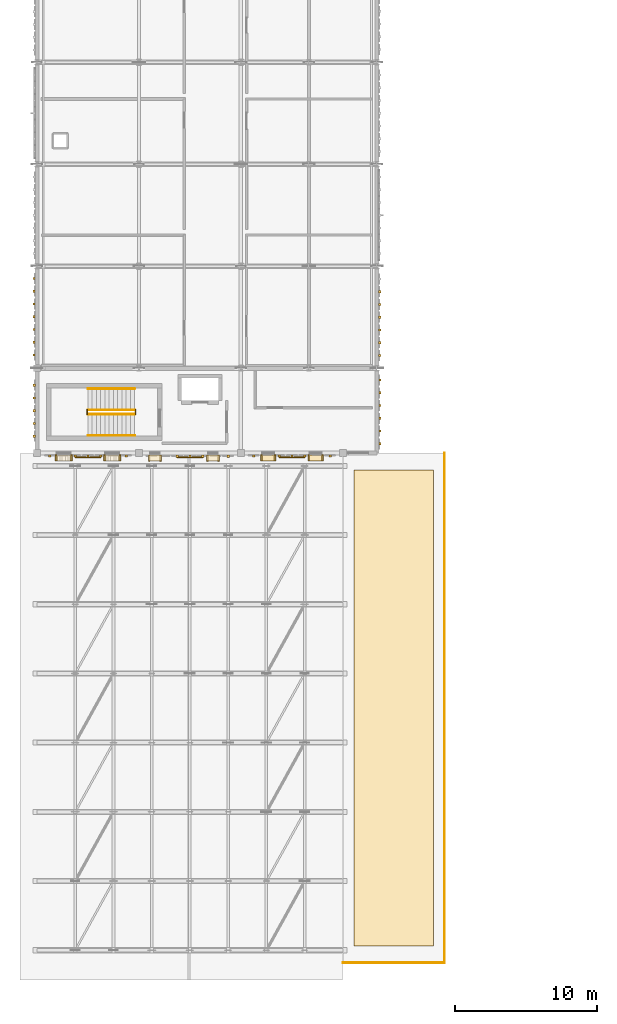
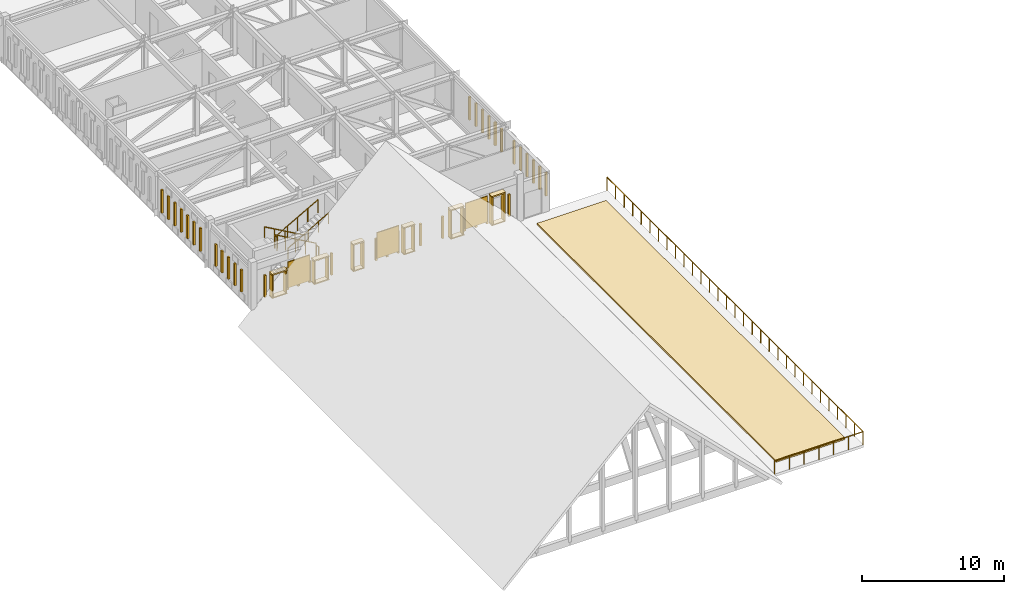
# One storey, part 64 of 79: 63 coverings, 8 railings, 3 shading devices.
"""IFC4 building model written with IfcOpenShell, lengths in metres."""

from ifc_helpers import new_model, si_unit, direction, frame, origin, origin_2d, place, context, subcontext, project, spatial, polyline, rectangle, circle, outline, extrude, material, layer, layer_set, type_object, element, save


model = new_model("IFC4")

# Units and contexts
model_context = context("Model", 3, precision=1e-05, world=origin(), true_north=direction((0.0, 1.0)))
body_context = subcontext(model_context, "Body", "Model", "MODEL_VIEW")
ifc_project = project(units=[si_unit("LENGTHUNIT", "METRE"), si_unit("AREAUNIT", "SQUARE_METRE"), si_unit("VOLUMEUNIT", "CUBIC_METRE"), si_unit("PLANEANGLEUNIT", "RADIAN"), si_unit("MASSUNIT", "GRAM", prefix="KILO")], contexts=[model_context])

# Site, building, storey
site_placement = place(None, origin())
site = spatial("IfcSite", under=ifc_project, at=site_placement, CompositionType="ELEMENT")
building_placement = place(site_placement, origin())
building = spatial("IfcBuilding", under=site, at=building_placement, Name="Nzembalo Square Collegiate School", CompositionType="ELEMENT")
storey_placement = place(building_placement, frame((0.0, 0.0, 9.52001953125)))
storey = spatial("IfcBuildingStorey", under=building, at=storey_placement, Name="L02", CompositionType="ELEMENT", Elevation=9.52001953125)

# Coverings
ifc_material_1 = material(Name="Glazed ochre ceramic lancet rib")
ifc_layer_1 = layer(ifc_material_1, 0.159912109375, Name="Glazed ochre ceramic lancet rib")
ifc_layer_set_1 = layer_set([ifc_layer_1], Name="Glazed ochre ceramic lancet rib")
covering_type_1 = type_object("IfcCoveringType", Name="CL02", PredefinedType="CLADDING", material=ifc_layer_set_1)
for number, where, z_axis, x_axis, name in (
    (1, (9.300048828125, 44.197509765625, 0.76025390625), (0.0, 0.0, 1.0), (1.0, 0.0, 0.0), "Gothic ceramic rib CL02-X0177-0"),
    (2, (11.10009765625, 44.197509765625, 0.76025390625), (0.0, 0.0, 1.0), (1.0, 0.0, 0.0), "Gothic ceramic rib CL02-X0177-2"),
    (3, (12.0, 44.197509765625, 0.76025390625), (0.0, 0.0, 1.0), (1.0, 0.0, 0.0), "Gothic ceramic rib CL02-X0177-3"),
    (4, (12.89990234375, 44.197509765625, 0.76025390625), (0.0, 0.0, 1.0), (1.0, 0.0, 0.0), "Gothic ceramic rib CL02-X0177-4"),
    (5, (14.699951171875, 44.197509765625, 0.76025390625), (0.0, 0.0, 1.0), (1.0, 0.0, 0.0), "Gothic ceramic rib CL02-X0177-6"),
    (6, (18.300048828125, 44.1875, 0.76025390625), (0.0, 0.0, 1.0), (1.0, 0.0, 0.0), "Gothic ceramic rib CL02-X0178-2"),
    (7, (19.199951171875, 44.1875, 0.76025390625), (0.0, 0.0, 1.0), (1.0, 0.0, 0.0), "Gothic ceramic rib CL02-X0178-3"),
    (8, (20.10009765625, 44.1875, 0.76025390625), (0.0, 0.0, 1.0), (1.0, 0.0, 0.0), "Gothic ceramic rib CL02-X0178-4"),
    (9, (21.89990234375, 44.1875, 0.76025390625), (0.0, 0.0, 1.0), (1.0, 0.0, 0.0), "Gothic ceramic rib CL02-X0178-6"),
    (10, (23.699951171875, 44.197509765625, 0.76025390625), (0.0, 0.0, 1.0), (1.0, 0.0, 0.0), "Gothic ceramic rib CL02-X0179-0"),
    (11, (25.5, 44.197509765625, 0.76025390625), (0.0, 0.0, 1.0), (1.0, 0.0, 0.0), "Gothic ceramic rib CL02-X0179-2"),
    (12, (26.39990234375, 44.197509765625, 0.76025390625), (0.0, 0.0, 1.0), (1.0, 0.0, 0.0), "Gothic ceramic rib CL02-X0179-3"),
    (13, (27.300048828125, 44.197509765625, 0.76025390625), (0.0, 0.0, 1.0), (1.0, 0.0, 0.0), "Gothic ceramic rib CL02-X0179-4"),
    (14, (29.10009765625, 44.197509765625, 0.76025390625), (0.0, 0.0, 1.0), (1.0, 0.0, 0.0), "Gothic ceramic rib CL02-X0179-6"),
    (15, (8.197509765625, 45.60009765625, 0.76025390625), (0.0, 0.0, 1.0), (1.0, 0.0, 0.0), "Gothic ceramic rib CL02-Y0181-0"),
    (16, (8.197509765625, 46.5, 0.76025390625), (0.0, 0.0, 1.0), (1.0, 0.0, 0.0), "Gothic ceramic rib CL02-Y0181-1"),
    (17, (8.197509765625, 47.39990234375, 0.76025390625), (0.0, 0.0, 1.0), (1.0, 0.0, 0.0), "Gothic ceramic rib CL02-Y0181-2"),
    (18, (8.197509765625, 48.300048828125, 0.76025390625), (0.0, 0.0, 1.0), (1.0, 0.0, 0.0), "Gothic ceramic rib CL02-Y0181-3"),
    (19, (8.197509765625, 49.199951171875, 0.76025390625), (0.0, 0.0, 1.0), (1.0, 0.0, 0.0), "Gothic ceramic rib CL02-Y0181-4"),
):
    element("IfcCovering", number, at=place(storey_placement, frame(where, z_axis=z_axis, x_axis=x_axis)), inside=storey, type_object=covering_type_1, Name=name, PredefinedType="CLADDING", context=body_context, shape_type="SweptSolid", body=[
        extrude(rectangle(XDim=0.159912109375, YDim=0.159912109375, at=origin_2d()), origin(), (0.0, 0.0, 1.0), 1.868896484375),
    ])
for number, where, z_axis, x_axis, name in (
    (20, (8.1875, 51.33251953125, 0.760009765625), (0.0, 0.0, 1.0), (1.0, 0.0, 0.0), "Gothic ceramic rib CL02-Y0182-0"),
    (21, (8.1875, 52.232421875, 0.760009765625), (0.0, 0.0, 1.0), (1.0, 0.0, 0.0), "Gothic ceramic rib CL02-Y0182-1"),
    (22, (8.1875, 53.132568359375, 0.760009765625), (0.0, 0.0, 1.0), (1.0, 0.0, 0.0), "Gothic ceramic rib CL02-Y0182-2"),
    (23, (8.1875, 54.032470703125, 0.760009765625), (0.0, 0.0, 1.0), (1.0, 0.0, 0.0), "Gothic ceramic rib CL02-Y0182-3"),
    (24, (8.1875, 54.9326171875, 0.760009765625), (0.0, 0.0, 1.0), (1.0, 0.0, 0.0), "Gothic ceramic rib CL02-Y0182-4"),
    (25, (8.1875, 55.83251953125, 0.760009765625), (0.0, 0.0, 1.0), (1.0, 0.0, 0.0), "Gothic ceramic rib CL02-Y0182-5"),
    (26, (8.1875, 56.732421875, 0.760009765625), (0.0, 0.0, 1.0), (1.0, 0.0, 0.0), "Gothic ceramic rib CL02-Y0182-6"),
    (27, (32.612548828125, 45.0615234375, 0.760009765625), (0.0, 0.0, 1.0), (1.0, 0.0, 0.0), "Gothic ceramic rib CL02-Y0190-0"),
    (28, (32.612548828125, 45.96142578125, 0.760009765625), (0.0, 0.0, 1.0), (1.0, 0.0, 0.0), "Gothic ceramic rib CL02-Y0190-1"),
    (29, (32.612548828125, 46.861572265625, 0.760009765625), (0.0, 0.0, 1.0), (1.0, 0.0, 0.0), "Gothic ceramic rib CL02-Y0190-2"),
    (30, (32.612548828125, 47.761474609375, 0.760009765625), (0.0, 0.0, 1.0), (1.0, 0.0, 0.0), "Gothic ceramic rib CL02-Y0190-3"),
    (31, (32.612548828125, 48.66162109375, 0.760009765625), (0.0, 0.0, 1.0), (1.0, 0.0, 0.0), "Gothic ceramic rib CL02-Y0190-4"),
    (32, (32.612548828125, 49.5615234375, 0.760009765625), (0.0, 0.0, 1.0), (1.0, 0.0, 0.0), "Gothic ceramic rib CL02-Y0190-5"),
    (33, (32.6025390625, 51.300048828125, 0.760009765625), (0.0, 0.0, 1.0), (1.0, 0.0, 0.0), "Gothic ceramic rib CL02-Y0191-0"),
    (34, (32.6025390625, 52.199951171875, 0.760009765625), (0.0, 0.0, 1.0), (1.0, 0.0, 0.0), "Gothic ceramic rib CL02-Y0191-1"),
    (35, (32.6025390625, 53.10009765625, 0.760009765625), (0.0, 0.0, 1.0), (1.0, 0.0, 0.0), "Gothic ceramic rib CL02-Y0191-2"),
    (36, (32.6025390625, 54.0, 0.760009765625), (0.0, 0.0, 1.0), (1.0, 0.0, 0.0), "Gothic ceramic rib CL02-Y0191-3"),
    (37, (32.6025390625, 54.89990234375, 0.760009765625), (0.0, 0.0, 1.0), (1.0, 0.0, 0.0), "Gothic ceramic rib CL02-Y0191-4"),
    (38, (32.6025390625, 55.800048828125, 0.760009765625), (0.0, 0.0, 1.0), (1.0, 0.0, 0.0), "Gothic ceramic rib CL02-Y0191-5"),
):
    element("IfcCovering", number, at=place(storey_placement, frame(where, z_axis=z_axis, x_axis=x_axis)), inside=storey, type_object=covering_type_1, Name=name, PredefinedType="CLADDING", context=body_context, shape_type="SweptSolid", body=[
        extrude(rectangle(XDim=0.159912109375, YDim=0.159912109375, at=origin_2d()), origin(), (0.0, 0.0, 1.0), 1.97900390625),
    ])
ifc_material_2 = material(Name="Planted extensive green roof substrate")
ifc_layer_2 = layer(ifc_material_2, 0.139892578125, Name="Planted extensive green roof substrate")
ifc_layer_set_2 = layer_set([ifc_layer_2], Name="Planted extensive green roof substrate")
covering_type_2 = type_object("IfcCoveringType", Name="GR01", PredefinedType="ROOFING", material=ifc_layer_set_2)
covering_1_placement = place(storey_placement, origin())
element("IfcCovering", 39, at=covering_1_placement, inside=storey, type_object=covering_type_2, Name="Planted green roof bed GR01-03", PredefinedType="ROOFING", context=body_context, shape_type="SweptSolid", body=[
    extrude(outline(polyline([(30.800048828125, 9.60009765625), (36.39990234375, 9.60009765625), (36.39990234375, 43.199951171875), (30.800048828125, 43.199951171875), (30.800048828125, 9.60009765625)])), origin(), (0.0, 0.0, 1.0), 0.139892578125),
])
ifc_material_3 = material(Name="Glazed celadon ceramic window frame")
ifc_layer_3 = layer(ifc_material_3, 0.419921875, Name="Glazed celadon ceramic window frame")
ifc_layer_set_3 = layer_set([ifc_layer_3], Name="Glazed celadon ceramic window frame")
covering_type_3 = type_object("IfcCoveringType", Name="WF01", PredefinedType="CLADDING", material=ifc_layer_set_3)
covering_2_placement = place(storey_placement, frame((10.2958984375, 44.0625, 2.634765625), z_axis=(0.0, 0.0, 1.0), x_axis=(1.0, 0.0, 0.0)))
element("IfcCovering", 40, at=covering_2_placement, inside=storey, type_object=covering_type_3, Name="Deep lancet window hood WF01-0485", PredefinedType="CLADDING", context=body_context, shape_type="SweptSolid", body=[
    extrude(rectangle(XDim=1.219970703125, YDim=0.419921875, at=origin_2d()), origin(), (0.0, 0.0, 1.0), 0.110107421875),
])
covering_3_placement = place(storey_placement, frame((10.2958984375, 44.0625, 0.65478515625), z_axis=(0.0, 0.0, 1.0), x_axis=(1.0, 0.0, 0.0)))
element("IfcCovering", 41, at=covering_3_placement, inside=storey, type_object=covering_type_3, Name="Deep lancet window sill WF01-0485", PredefinedType="CLADDING", context=body_context, shape_type="SweptSolid", body=[
    extrude(rectangle(XDim=1.219970703125, YDim=0.419921875, at=origin_2d()), origin(), (0.0, 0.0, 1.0), 0.090087890625),
])
for number, where, z_axis, x_axis, name in (
    (42, (9.7509765625, 44.0625, 0.75), (0.0, 0.0, 1.0), (1.0, 0.0, 0.0), "Deep lancet window jamb WF01-0485L"),
    (43, (10.841064453125, 44.0625, 0.75), (0.0, 0.0, 1.0), (1.0, 0.0, 0.0), "Deep lancet window jamb WF01-0485R"),
):
    element("IfcCovering", number, at=place(storey_placement, frame(where, z_axis=z_axis, x_axis=x_axis)), inside=storey, type_object=covering_type_3, Name=name, PredefinedType="CLADDING", context=body_context, shape_type="SweptSolid", body=[
        extrude(rectangle(XDim=0.10009765625, YDim=0.419921875, at=origin_2d()), origin(), (0.0, 0.0, 1.0), 1.8798828125),
    ])
covering_4_placement = place(storey_placement, frame((13.7041015625, 44.0625, 2.634765625), z_axis=(0.0, 0.0, 1.0), x_axis=(1.0, 0.0, 0.0)))
element("IfcCovering", 44, at=covering_4_placement, inside=storey, type_object=covering_type_3, Name="Deep lancet window hood WF01-0486", PredefinedType="CLADDING", context=body_context, shape_type="SweptSolid", body=[
    extrude(rectangle(XDim=1.219970703125, YDim=0.419921875, at=origin_2d()), origin(), (0.0, 0.0, 1.0), 0.110107421875),
])
covering_5_placement = place(storey_placement, frame((13.7041015625, 44.0625, 0.65478515625), z_axis=(0.0, 0.0, 1.0), x_axis=(1.0, 0.0, 0.0)))
element("IfcCovering", 45, at=covering_5_placement, inside=storey, type_object=covering_type_3, Name="Deep lancet window sill WF01-0486", PredefinedType="CLADDING", context=body_context, shape_type="SweptSolid", body=[
    extrude(rectangle(XDim=1.219970703125, YDim=0.419921875, at=origin_2d()), origin(), (0.0, 0.0, 1.0), 0.090087890625),
])
for number, where, z_axis, x_axis, name in (
    (46, (13.158935546875, 44.0625, 0.75), (0.0, 0.0, 1.0), (1.0, 0.0, 0.0), "Deep lancet window jamb WF01-0486L"),
    (47, (14.2490234375, 44.0625, 0.75), (0.0, 0.0, 1.0), (1.0, 0.0, 0.0), "Deep lancet window jamb WF01-0486R"),
):
    element("IfcCovering", number, at=place(storey_placement, frame(where, z_axis=z_axis, x_axis=x_axis)), inside=storey, type_object=covering_type_3, Name=name, PredefinedType="CLADDING", context=body_context, shape_type="SweptSolid", body=[
        extrude(rectangle(XDim=0.10009765625, YDim=0.419921875, at=origin_2d()), origin(), (0.0, 0.0, 1.0), 1.8798828125),
    ])
covering_6_placement = place(storey_placement, frame((16.719970703125, 44.052490234375, 2.9150390625), z_axis=(0.0, 0.0, 1.0), x_axis=(1.0, 0.0, 0.0)))
element("IfcCovering", 48, at=covering_6_placement, inside=storey, type_object=covering_type_3, Name="Deep lancet window hood WF01-0502", PredefinedType="CLADDING", context=body_context, shape_type="SweptSolid", body=[
    extrude(rectangle(XDim=0.919921875, YDim=0.419921875, at=origin_2d()), origin(), (0.0, 0.0, 1.0), 0.110107421875),
])
covering_7_placement = place(storey_placement, frame((16.719970703125, 44.052490234375, 0.65478515625), z_axis=(0.0, 0.0, 1.0), x_axis=(1.0, 0.0, 0.0)))
element("IfcCovering", 49, at=covering_7_placement, inside=storey, type_object=covering_type_3, Name="Deep lancet window sill WF01-0502", PredefinedType="CLADDING", context=body_context, shape_type="SweptSolid", body=[
    extrude(rectangle(XDim=0.919921875, YDim=0.419921875, at=origin_2d()), origin(), (0.0, 0.0, 1.0), 0.090087890625),
])
for number, where, z_axis, x_axis, name in (
    (50, (16.324951171875, 44.052490234375, 0.75), (0.0, 0.0, 1.0), (1.0, 0.0, 0.0), "Deep lancet window jamb WF01-0502L"),
    (51, (17.114990234375, 44.052490234375, 0.75), (0.0, 0.0, 1.0), (1.0, 0.0, 0.0), "Deep lancet window jamb WF01-0502R"),
):
    element("IfcCovering", number, at=place(storey_placement, frame(where, z_axis=z_axis, x_axis=x_axis)), inside=storey, type_object=covering_type_3, Name=name, PredefinedType="CLADDING", context=body_context, shape_type="SweptSolid", body=[
        extrude(rectangle(XDim=0.10009765625, YDim=0.419921875, at=origin_2d()), origin(), (0.0, 0.0, 1.0), 2.159912109375),
    ])
covering_8_placement = place(storey_placement, frame((20.8291015625, 44.052490234375, 2.9150390625), z_axis=(0.0, 0.0, 1.0), x_axis=(1.0, 0.0, 0.0)))
element("IfcCovering", 52, at=covering_8_placement, inside=storey, type_object=covering_type_3, Name="Deep lancet window hood WF01-0503", PredefinedType="CLADDING", context=body_context, shape_type="SweptSolid", body=[
    extrude(rectangle(XDim=0.919921875, YDim=0.419921875, at=origin_2d()), origin(), (0.0, 0.0, 1.0), 0.110107421875),
])
covering_9_placement = place(storey_placement, frame((20.8291015625, 44.052490234375, 0.65478515625), z_axis=(0.0, 0.0, 1.0), x_axis=(1.0, 0.0, 0.0)))
element("IfcCovering", 53, at=covering_9_placement, inside=storey, type_object=covering_type_3, Name="Deep lancet window sill WF01-0503", PredefinedType="CLADDING", context=body_context, shape_type="SweptSolid", body=[
    extrude(rectangle(XDim=0.919921875, YDim=0.419921875, at=origin_2d()), origin(), (0.0, 0.0, 1.0), 0.090087890625),
])
for number, where, z_axis, x_axis, name in (
    (54, (20.43408203125, 44.052490234375, 0.75), (0.0, 0.0, 1.0), (1.0, 0.0, 0.0), "Deep lancet window jamb WF01-0503L"),
    (55, (21.22412109375, 44.052490234375, 0.75), (0.0, 0.0, 1.0), (1.0, 0.0, 0.0), "Deep lancet window jamb WF01-0503R"),
):
    element("IfcCovering", number, at=place(storey_placement, frame(where, z_axis=z_axis, x_axis=x_axis)), inside=storey, type_object=covering_type_3, Name=name, PredefinedType="CLADDING", context=body_context, shape_type="SweptSolid", body=[
        extrude(rectangle(XDim=0.10009765625, YDim=0.419921875, at=origin_2d()), origin(), (0.0, 0.0, 1.0), 2.159912109375),
    ])
covering_10_placement = place(storey_placement, frame((24.72607421875, 44.0625, 3.07470703125), z_axis=(0.0, 0.0, 1.0), x_axis=(1.0, 0.0, 0.0)))
element("IfcCovering", 56, at=covering_10_placement, inside=storey, type_object=covering_type_3, Name="Deep lancet window hood WF01-0504", PredefinedType="CLADDING", context=body_context, shape_type="SweptSolid", body=[
    extrude(rectangle(XDim=1.10009765625, YDim=0.419921875, at=origin_2d()), origin(), (0.0, 0.0, 1.0), 0.110107421875),
])
covering_11_placement = place(storey_placement, frame((24.72607421875, 44.0625, 0.65478515625), z_axis=(0.0, 0.0, 1.0), x_axis=(1.0, 0.0, 0.0)))
element("IfcCovering", 57, at=covering_11_placement, inside=storey, type_object=covering_type_3, Name="Deep lancet window sill WF01-0504", PredefinedType="CLADDING", context=body_context, shape_type="SweptSolid", body=[
    extrude(rectangle(XDim=1.10009765625, YDim=0.419921875, at=origin_2d()), origin(), (0.0, 0.0, 1.0), 0.090087890625),
])
for number, where, z_axis, x_axis, name in (
    (58, (24.240966796875, 44.0625, 0.75), (0.0, 0.0, 1.0), (1.0, 0.0, 0.0), "Deep lancet window jamb WF01-0504L"),
    (59, (25.2109375, 44.0625, 0.75), (0.0, 0.0, 1.0), (1.0, 0.0, 0.0), "Deep lancet window jamb WF01-0504R"),
):
    element("IfcCovering", number, at=place(storey_placement, frame(where, z_axis=z_axis, x_axis=x_axis)), inside=storey, type_object=covering_type_3, Name=name, PredefinedType="CLADDING", context=body_context, shape_type="SweptSolid", body=[
        extrude(rectangle(XDim=0.10009765625, YDim=0.419921875, at=origin_2d()), origin(), (0.0, 0.0, 1.0), 2.320068359375),
    ])
covering_12_placement = place(storey_placement, frame((28.073974609375, 44.0625, 3.07470703125), z_axis=(0.0, 0.0, 1.0), x_axis=(1.0, 0.0, 0.0)))
element("IfcCovering", 60, at=covering_12_placement, inside=storey, type_object=covering_type_3, Name="Deep lancet window hood WF01-0505", PredefinedType="CLADDING", context=body_context, shape_type="SweptSolid", body=[
    extrude(rectangle(XDim=1.10009765625, YDim=0.419921875, at=origin_2d()), origin(), (0.0, 0.0, 1.0), 0.110107421875),
])
covering_13_placement = place(storey_placement, frame((28.073974609375, 44.0625, 0.65478515625), z_axis=(0.0, 0.0, 1.0), x_axis=(1.0, 0.0, 0.0)))
element("IfcCovering", 61, at=covering_13_placement, inside=storey, type_object=covering_type_3, Name="Deep lancet window sill WF01-0505", PredefinedType="CLADDING", context=body_context, shape_type="SweptSolid", body=[
    extrude(rectangle(XDim=1.10009765625, YDim=0.419921875, at=origin_2d()), origin(), (0.0, 0.0, 1.0), 0.090087890625),
])
for number, where, z_axis, x_axis, name in (
    (62, (27.589111328125, 44.0625, 0.75), (0.0, 0.0, 1.0), (1.0, 0.0, 0.0), "Deep lancet window jamb WF01-0505L"),
    (63, (28.55908203125, 44.0625, 0.75), (0.0, 0.0, 1.0), (1.0, 0.0, 0.0), "Deep lancet window jamb WF01-0505R"),
):
    element("IfcCovering", number, at=place(storey_placement, frame(where, z_axis=z_axis, x_axis=x_axis)), inside=storey, type_object=covering_type_3, Name=name, PredefinedType="CLADDING", context=body_context, shape_type="SweptSolid", body=[
        extrude(rectangle(XDim=0.10009765625, YDim=0.419921875, at=origin_2d()), origin(), (0.0, 0.0, 1.0), 2.320068359375),
    ])

# Railings
ifc_material_4 = material(Name="Steel S355", Category="steel")
railing_type_1 = type_object("IfcRailingType", Name="BL01", PredefinedType="BALUSTRADE", material=ifc_material_4)
railing_1_placement = place(storey_placement, frame((30.0, 8.419921875, 0.0)))
element("IfcRailing", 64, at=railing_1_placement, inside=storey, type_object=railing_type_1, Name="Terrace balustrade BL-06A", PredefinedType="BALUSTRADE", context=body_context, shape_type="SweptSolid", body=[
    extrude(circle(Radius=0.02392578125, at=origin_2d()), frame((0.0, 0.0, 1.1259765625), z_axis=(1.0, 0.0, 0.0), x_axis=(0.0, 1.0, 0.0)), (0.0, 0.0, 1.0), 7.179931640625),
    extrude(circle(Radius=0.02099609375, at=origin_2d()), origin(), (0.0, 0.0, 1.0), 1.101806640625),
    extrude(circle(Radius=0.02099609375, at=origin_2d()), frame((1.19677734375, 0.0, 0.0)), (0.0, 0.0, 1.0), 1.101806640625),
    extrude(circle(Radius=0.02099609375, at=origin_2d()), frame((2.393310546875, 0.0, 0.0)), (0.0, 0.0, 1.0), 1.101806640625),
    extrude(circle(Radius=0.02099609375, at=origin_2d()), frame((3.58984375, 0.0, 0.0)), (0.0, 0.0, 1.0), 1.101806640625),
    extrude(circle(Radius=0.02099609375, at=origin_2d()), frame((4.78662109375, 0.0, 0.0)), (0.0, 0.0, 1.0), 1.101806640625),
    extrude(circle(Radius=0.02099609375, at=origin_2d()), frame((5.9833984375, 0.0, 0.0)), (0.0, 0.0, 1.0), 1.101806640625),
    extrude(circle(Radius=0.02099609375, at=origin_2d()), frame((7.179931640625, 0.0, 0.0)), (0.0, 0.0, 1.0), 1.101806640625),
])
railing_2_placement = place(storey_placement, frame((37.179931640625, 8.419921875, 0.0)))
element("IfcRailing", 65, at=railing_2_placement, inside=storey, type_object=railing_type_1, Name="Terrace balustrade BL-06B", PredefinedType="BALUSTRADE", context=body_context, shape_type="SweptSolid", body=[
    extrude(circle(Radius=0.02392578125, at=origin_2d()), frame((0.0, 0.0, 1.1259765625), z_axis=(0.0, 1.0, 0.0), x_axis=(-1.0, 0.0, 0.0)), (0.0, 0.0, 1.0), 35.97998046875),
    extrude(circle(Radius=0.02099609375, at=origin_2d()), origin(), (0.0, 0.0, 1.0), 1.101806640625),
    extrude(circle(Radius=0.02099609375, at=origin_2d()), frame((0.0, 1.19921875, 0.0)), (0.0, 0.0, 1.0), 1.101806640625),
    extrude(circle(Radius=0.02099609375, at=origin_2d()), frame((0.0, 2.398681640625, 0.0)), (0.0, 0.0, 1.0), 1.101806640625),
    extrude(circle(Radius=0.02099609375, at=origin_2d()), frame((0.0, 3.597900390625, 0.0)), (0.0, 0.0, 1.0), 1.101806640625),
    extrude(circle(Radius=0.02099609375, at=origin_2d()), frame((0.0, 4.79736328125, 0.0)), (0.0, 0.0, 1.0), 1.101806640625),
    extrude(circle(Radius=0.02099609375, at=origin_2d()), frame((0.0, 5.99658203125, 0.0)), (0.0, 0.0, 1.0), 1.101806640625),
    extrude(circle(Radius=0.02099609375, at=origin_2d()), frame((0.0, 7.196044921875, 0.0)), (0.0, 0.0, 1.0), 1.101806640625),
    extrude(circle(Radius=0.02099609375, at=origin_2d()), frame((0.0, 8.395263671875, 0.0)), (0.0, 0.0, 1.0), 1.101806640625),
    extrude(circle(Radius=0.02099609375, at=origin_2d()), frame((0.0, 9.5947265625, 0.0)), (0.0, 0.0, 1.0), 1.101806640625),
    extrude(circle(Radius=0.02099609375, at=origin_2d()), frame((0.0, 10.7939453125, 0.0)), (0.0, 0.0, 1.0), 1.101806640625),
    extrude(circle(Radius=0.02099609375, at=origin_2d()), frame((0.0, 11.993408203125, 0.0)), (0.0, 0.0, 1.0), 1.101806640625),
    extrude(circle(Radius=0.02099609375, at=origin_2d()), frame((0.0, 13.192626953125, 0.0)), (0.0, 0.0, 1.0), 1.101806640625),
    extrude(circle(Radius=0.02099609375, at=origin_2d()), frame((0.0, 14.39208984375, 0.0)), (0.0, 0.0, 1.0), 1.101806640625),
    extrude(circle(Radius=0.02099609375, at=origin_2d()), frame((0.0, 15.59130859375, 0.0)), (0.0, 0.0, 1.0), 1.101806640625),
    extrude(circle(Radius=0.02099609375, at=origin_2d()), frame((0.0, 16.790771484375, 0.0)), (0.0, 0.0, 1.0), 1.101806640625),
    extrude(circle(Radius=0.02099609375, at=origin_2d()), frame((0.0, 17.989990234375, 0.0)), (0.0, 0.0, 1.0), 1.101806640625),
    extrude(circle(Radius=0.02099609375, at=origin_2d()), frame((0.0, 19.189208984375, 0.0)), (0.0, 0.0, 1.0), 1.101806640625),
    extrude(circle(Radius=0.02099609375, at=origin_2d()), frame((0.0, 20.388671875, 0.0)), (0.0, 0.0, 1.0), 1.101806640625),
    extrude(circle(Radius=0.02099609375, at=origin_2d()), frame((0.0, 21.587890625, 0.0)), (0.0, 0.0, 1.0), 1.101806640625),
    extrude(circle(Radius=0.02099609375, at=origin_2d()), frame((0.0, 22.787353515625, 0.0)), (0.0, 0.0, 1.0), 1.101806640625),
    extrude(circle(Radius=0.02099609375, at=origin_2d()), frame((0.0, 23.986572265625, 0.0)), (0.0, 0.0, 1.0), 1.101806640625),
    extrude(circle(Radius=0.02099609375, at=origin_2d()), frame((0.0, 25.18603515625, 0.0)), (0.0, 0.0, 1.0), 1.101806640625),
    extrude(circle(Radius=0.02099609375, at=origin_2d()), frame((0.0, 26.38525390625, 0.0)), (0.0, 0.0, 1.0), 1.101806640625),
    extrude(circle(Radius=0.02099609375, at=origin_2d()), frame((0.0, 27.584716796875, 0.0)), (0.0, 0.0, 1.0), 1.101806640625),
    extrude(circle(Radius=0.02099609375, at=origin_2d()), frame((0.0, 28.783935546875, 0.0)), (0.0, 0.0, 1.0), 1.101806640625),
    extrude(circle(Radius=0.02099609375, at=origin_2d()), frame((0.0, 29.9833984375, 0.0)), (0.0, 0.0, 1.0), 1.101806640625),
    extrude(circle(Radius=0.02099609375, at=origin_2d()), frame((0.0, 31.1826171875, 0.0)), (0.0, 0.0, 1.0), 1.101806640625),
    extrude(circle(Radius=0.02099609375, at=origin_2d()), frame((0.0, 32.382080078125, 0.0)), (0.0, 0.0, 1.0), 1.101806640625),
    extrude(circle(Radius=0.02099609375, at=origin_2d()), frame((0.0, 33.581298828125, 0.0)), (0.0, 0.0, 1.0), 1.101806640625),
    extrude(circle(Radius=0.02099609375, at=origin_2d()), frame((0.0, 34.78076171875, 0.0)), (0.0, 0.0, 1.0), 1.101806640625),
    extrude(circle(Radius=0.02099609375, at=origin_2d()), frame((0.0, 35.97998046875, 0.0)), (0.0, 0.0, 1.0), 1.101806640625),
])
ifc_material_5 = material(Name="Steel S355", Category="steel")
railing_type_2 = type_object("IfcRailingType", Name="GR01", PredefinedType="GUARDRAIL", material=ifc_material_5)
railing_3_placement = place(storey_placement, frame((15.300048828125, 47.449951171875, 0.159912109375)))
element("IfcRailing", 66, at=railing_3_placement, inside=storey, type_object=railing_type_2, Name="Stair guard GR-04-1", PredefinedType="GUARDRAIL", context=body_context, shape_type="SweptSolid", body=[
    extrude(circle(Radius=0.02392578125, at=origin_2d()), frame((0.0, 0.0, 1.1259765625), z_axis=(-0.870012062771, 0.0, 0.493030435808), x_axis=(0.0, -1.0, 0.0)), (0.0, 0.0, 1.0), 3.793212890625),
    extrude(circle(Radius=0.02099609375, at=origin_2d()), origin(), (0.0, 0.0, 1.0), 1.101806640625),
    extrude(circle(Radius=0.02099609375, at=origin_2d()), frame((-0.824951171875, 0.0, 0.467529296875)), (0.0, 0.0, 1.0), 1.101806640625),
    extrude(circle(Radius=0.02099609375, at=origin_2d()), frame((-1.64990234375, 0.0, 0.93505859375)), (0.0, 0.0, 1.0), 1.101806640625),
    extrude(circle(Radius=0.02099609375, at=origin_2d()), frame((-2.47509765625, 0.0, 1.402587890625)), (0.0, 0.0, 1.0), 1.101806640625),
    extrude(circle(Radius=0.02099609375, at=origin_2d()), frame((-3.300048828125, 0.0, 1.8701171875)), (0.0, 0.0, 1.0), 1.101806640625),
])
railing_4_placement = place(storey_placement, frame((11.949951171875, 47.1201171875, 2.034912109375)))
element("IfcRailing", 67, at=railing_4_placement, inside=storey, type_object=railing_type_2, Name="Stair guard GR-04-2", PredefinedType="GUARDRAIL", context=body_context, shape_type="SweptSolid", body=[
    extrude(circle(Radius=0.02392578125, at=origin_2d()), frame((0.0, 0.0, 1.1259765625), z_axis=(0.0, 1.0, 0.0), x_axis=(-1.0, 0.0, 0.0)), (0.0, 0.0, 1.0), 0.35986328125),
    extrude(circle(Radius=0.02099609375, at=origin_2d()), origin(), (0.0, 0.0, 1.0), 1.101806640625),
    extrude(circle(Radius=0.02099609375, at=origin_2d()), frame((0.0, 0.35986328125, 0.0)), (0.0, 0.0, 1.0), 1.101806640625),
])
railing_5_placement = place(storey_placement, frame((12.0, 47.14990234375, 2.199951171875)))
element("IfcRailing", 68, at=railing_5_placement, inside=storey, type_object=railing_type_2, Name="Stair guard GR-04-3", PredefinedType="GUARDRAIL", context=body_context, shape_type="SweptSolid", body=[
    extrude(circle(Radius=0.02392578125, at=origin_2d()), frame((0.0, 0.0, 1.1259765625), z_axis=(0.870012062771, 0.0, 0.493030435808), x_axis=(0.0, 1.0, 0.0)), (0.0, 0.0, 1.0), 3.793212890625),
    extrude(circle(Radius=0.02099609375, at=origin_2d()), origin(), (0.0, 0.0, 1.0), 1.101806640625),
    extrude(circle(Radius=0.02099609375, at=origin_2d()), frame((0.824951171875, 0.0, 0.467529296875)), (0.0, 0.0, 1.0), 1.101806640625),
    extrude(circle(Radius=0.02099609375, at=origin_2d()), frame((1.64990234375, 0.0, 0.93505859375)), (0.0, 0.0, 1.0), 1.101806640625),
    extrude(circle(Radius=0.02099609375, at=origin_2d()), frame((2.47509765625, 0.0, 1.402587890625)), (0.0, 0.0, 1.0), 1.101806640625),
    extrude(circle(Radius=0.02099609375, at=origin_2d()), frame((3.300048828125, 0.0, 1.8701171875)), (0.0, 0.0, 1.0), 1.101806640625),
])
railing_6_placement = place(storey_placement, frame((15.35009765625, 47.1201171875, -0.005126953125)))
element("IfcRailing", 69, at=railing_6_placement, inside=storey, type_object=railing_type_2, Name="Stair guard GR-04-4", PredefinedType="GUARDRAIL", context=body_context, shape_type="SweptSolid", body=[
    extrude(circle(Radius=0.02392578125, at=origin_2d()), frame((0.0, 0.0, 1.1259765625), z_axis=(0.0, 1.0, 0.0), x_axis=(-1.0, 0.0, 0.0)), (0.0, 0.0, 1.0), 0.35986328125),
    extrude(circle(Radius=0.02099609375, at=origin_2d()), origin(), (0.0, 0.0, 1.0), 1.101806640625),
    extrude(circle(Radius=0.02099609375, at=origin_2d()), frame((0.0, 0.35986328125, 0.0)), (0.0, 0.0, 1.0), 1.101806640625),
])
ifc_material_6 = material(Name="Steel S355", Category="steel")
railing_type_3 = type_object("IfcRailingType", Name="HR01", PredefinedType="HANDRAIL", material=ifc_material_6)
railing_7_placement = place(storey_placement, frame((15.300048828125, 48.949951171875, 0.159912109375)))
element("IfcRailing", 70, at=railing_7_placement, inside=storey, type_object=railing_type_3, Name="Stair handrail HR-04-1", PredefinedType="HANDRAIL", context=body_context, shape_type="SweptSolid", body=[
    extrude(circle(Radius=0.02392578125, at=origin_2d()), frame((0.0, 0.0, 0.89599609375), z_axis=(-0.870012062771, 0.0, 0.493030435808), x_axis=(0.0, -1.0, 0.0)), (0.0, 0.0, 1.0), 3.793212890625),
    extrude(circle(Radius=0.02099609375, at=origin_2d()), origin(), (0.0, 0.0, 1.0), 0.871826171875),
    extrude(circle(Radius=0.02099609375, at=origin_2d()), frame((-0.824951171875, 0.0, 0.467529296875)), (0.0, 0.0, 1.0), 0.871826171875),
    extrude(circle(Radius=0.02099609375, at=origin_2d()), frame((-1.64990234375, 0.0, 0.93505859375)), (0.0, 0.0, 1.0), 0.871826171875),
    extrude(circle(Radius=0.02099609375, at=origin_2d()), frame((-2.47509765625, 0.0, 1.402587890625)), (0.0, 0.0, 1.0), 0.871826171875),
    extrude(circle(Radius=0.02099609375, at=origin_2d()), frame((-3.300048828125, 0.0, 1.8701171875)), (0.0, 0.0, 1.0), 0.871826171875),
])
railing_8_placement = place(storey_placement, frame((12.0, 45.64990234375, 2.199951171875)))
element("IfcRailing", 71, at=railing_8_placement, inside=storey, type_object=railing_type_3, Name="Stair handrail HR-04-2", PredefinedType="HANDRAIL", context=body_context, shape_type="SweptSolid", body=[
    extrude(circle(Radius=0.02392578125, at=origin_2d()), frame((0.0, 0.0, 0.89599609375), z_axis=(0.870012062771, 0.0, 0.493030435808), x_axis=(0.0, 1.0, 0.0)), (0.0, 0.0, 1.0), 3.793212890625),
    extrude(circle(Radius=0.02099609375, at=origin_2d()), origin(), (0.0, 0.0, 1.0), 0.871826171875),
    extrude(circle(Radius=0.02099609375, at=origin_2d()), frame((0.824951171875, 0.0, 0.467529296875)), (0.0, 0.0, 1.0), 0.871826171875),
    extrude(circle(Radius=0.02099609375, at=origin_2d()), frame((1.64990234375, 0.0, 0.93505859375)), (0.0, 0.0, 1.0), 0.871826171875),
    extrude(circle(Radius=0.02099609375, at=origin_2d()), frame((2.47509765625, 0.0, 1.402587890625)), (0.0, 0.0, 1.0), 0.871826171875),
    extrude(circle(Radius=0.02099609375, at=origin_2d()), frame((3.300048828125, 0.0, 1.8701171875)), (0.0, 0.0, 1.0), 0.871826171875),
])

# Shading devices
ifc_material_7 = material(Name="Glazed cobalt ceramic lancet screen")
ifc_layer_4 = layer(ifc_material_7, 0.080078125, Name="Glazed cobalt ceramic lancet screen")
ifc_layer_set_4 = layer_set([ifc_layer_4], Name="Glazed cobalt ceramic lancet screen")
shading_device_type_1 = type_object("IfcShadingDeviceType", Name="SC01", PredefinedType="USERDEFINED", material=ifc_layer_set_4)
for number, where, z_axis, x_axis, name in (
    (72, (12.0, 44.117431640625, 0.9501953125), (0.0, 0.0, 1.0), (1.0, 0.0, 0.0), "Ceramic lancet screen SC01-009"),
    (73, (26.39990234375, 44.117431640625, 0.9501953125), (0.0, 0.0, 1.0), (1.0, 0.0, 0.0), "Ceramic lancet screen SC01-011"),
):
    element("IfcShadingDevice", number, at=place(storey_placement, frame(where, z_axis=z_axis, x_axis=x_axis)), inside=storey, type_object=shading_device_type_1, Name=name, ObjectType="SCREEN", PredefinedType="USERDEFINED", context=body_context, shape_type="SweptSolid", body=[
        extrude(rectangle(XDim=1.800048828125, YDim=0.080078125, at=origin_2d()), origin(), (0.0, 0.0, 1.0), 2.218994140625),
    ])
ifc_material_8 = material(Name="Glazed celadon ceramic lancet screen")
ifc_layer_5 = layer(ifc_material_8, 0.080078125, Name="Glazed celadon ceramic lancet screen")
ifc_layer_set_5 = layer_set([ifc_layer_5], Name="Glazed celadon ceramic lancet screen")
shading_device_type_2 = type_object("IfcShadingDeviceType", Name="SC02", PredefinedType="USERDEFINED", material=ifc_layer_set_5)
shading_device_placement = place(storey_placement, frame((19.199951171875, 44.107421875, 0.9501953125), z_axis=(0.0, 0.0, 1.0), x_axis=(1.0, 0.0, 0.0)))
element("IfcShadingDevice", 74, at=shading_device_placement, inside=storey, type_object=shading_device_type_2, Name="Ceramic lancet screen SC02-010", ObjectType="SCREEN", PredefinedType="USERDEFINED", context=body_context, shape_type="SweptSolid", body=[
    extrude(rectangle(XDim=1.800048828125, YDim=0.080078125, at=origin_2d()), origin(), (0.0, 0.0, 1.0), 2.218994140625),
])

save(model, "model.ifc")
